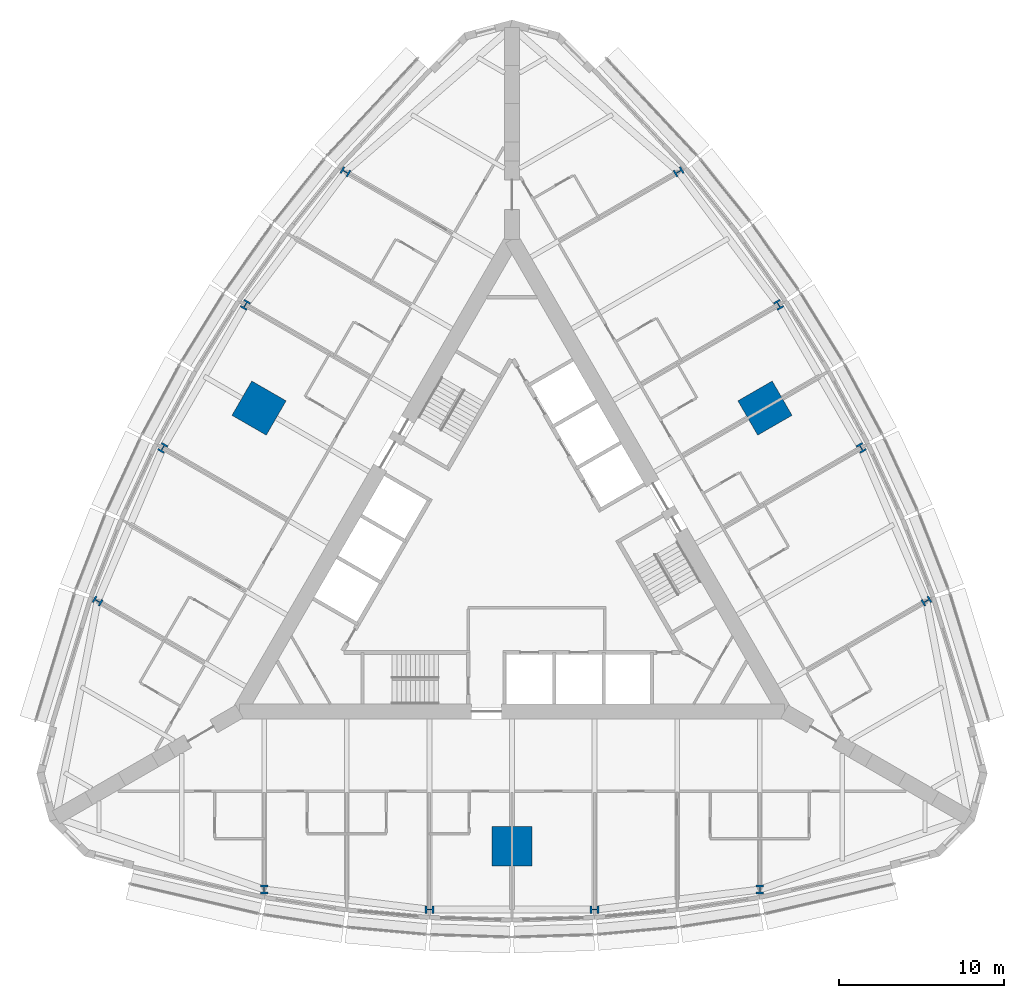
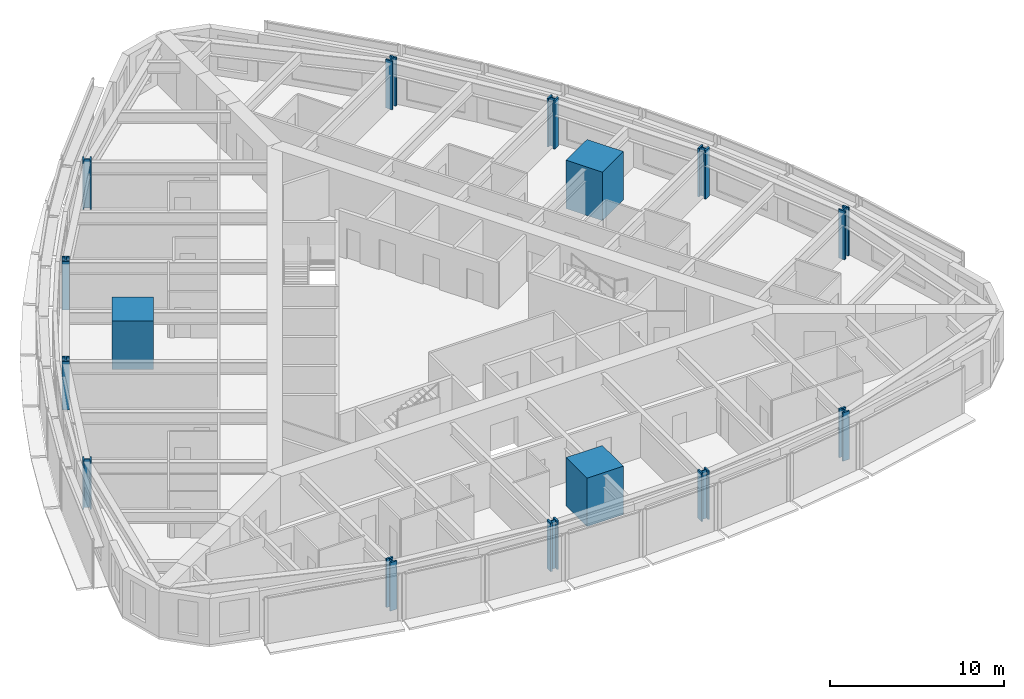
# One storey, part 1 of 14: 15 columns.
"""IFC4 building model written with IfcOpenShell, lengths in metres."""

import ifcopenshell
import ifcopenshell.guid

model = None  # the IFC model being written
_history = None  # IfcOwnerHistory: only IFC2X3 demands one
_inside = {}  # id of a spatial element -> (the spatial element, [elements in it])
_under = {}  # id of a project, library or spatial element -> (it, [spatial elements below it])
_declared = {}  # id of a project -> (the project, [libraries it declares])
_typed = {}  # id of a type object -> (the type object, [elements of that type])
_made_of = {}  # id of a material, layer set ... -> (it, [elements and type objects made of it])


def new_model(schema):
    """Start an empty IFC model of exactly this schema.

    Asked for "IFC4X3", IfcOpenShell would pick the latest addendum, in which some entities
    have other attributes; the version numbers below select the first issue.
    IFC2X3 requires an IfcOwnerHistory on every rooted entity: one is made here for all.
    """
    global model, _history
    if schema == "IFC4X3":
        model = ifcopenshell.file(schema_version=(4, 3, 0, 0))
    else:
        model = ifcopenshell.file(schema=schema)
    _inside.clear()
    _under.clear()
    _declared.clear()
    _typed.clear()
    _made_of.clear()
    _history = None
    if model.schema == "IFC2X3":
        org = make("IfcOrganization", Name="unknown")
        user = make(
            "IfcPersonAndOrganization",
            ThePerson=make("IfcPerson", FamilyName="unknown"),
            TheOrganization=org,
        )
        app = make(
            "IfcApplication",
            ApplicationDeveloper=org,
            Version="unknown",
            ApplicationFullName="unknown",
            ApplicationIdentifier="unknown",
        )
        _history = make(
            "IfcOwnerHistory",
            OwningUser=user,
            OwningApplication=app,
            ChangeAction="ADDED",
            CreationDate=0,
        )
    return model


def make(cls, **values):
    """One entity of the class cls with the attributes given. An attribute that is None is left unset."""
    return model.create_entity(
        cls, **{name: value for name, value in values.items() if value is not None}
    )


def rooted(cls, **values):
    """An entity with a GlobalId (a new one), such as an element, a storey or a relation."""
    return make(cls, GlobalId=ifcopenshell.guid.new(), OwnerHistory=_history, **values)


def si_unit(unit_type, name, prefix=None):
    """IfcSIUnit, for example si_unit("LENGTHUNIT", "METRE", prefix="MILLI")."""
    return make("IfcSIUnit", UnitType=unit_type, Prefix=prefix, Name=name)


def assignment(units):
    """IfcUnitAssignment: the units of a project."""
    return None if units is None else make("IfcUnitAssignment", Units=units)


def point(xyz):
    """IfcCartesianPoint."""
    return None if xyz is None else make("IfcCartesianPoint", Coordinates=xyz)


def direction(xyz):
    """IfcDirection."""
    return None if xyz is None else make("IfcDirection", DirectionRatios=xyz)


def frame(location, z_axis=None, x_axis=None):
    """IfcAxis2Placement3D, a coordinate frame: its origin and axes. An axis left out is left unset."""
    return make(
        "IfcAxis2Placement3D",
        Location=point(location),
        Axis=direction(z_axis),
        RefDirection=direction(x_axis),
    )


def frame_2d(location, x_axis=None):
    """IfcAxis2Placement2D, a coordinate frame in the plane: its origin and x axis."""
    return make(
        "IfcAxis2Placement2D", Location=point(location), RefDirection=direction(x_axis)
    )


def origin():
    """The frame at (0, 0, 0) with its axes left unset."""
    return frame((0.0, 0.0, 0.0))


def origin_2d():
    """The frame at (0, 0) in the plane with its x axis left unset."""
    return frame_2d((0.0, 0.0))


def place(relative_to, where):
    """IfcLocalPlacement: puts the frame where relative to a parent placement (None: the world)."""
    return make(
        "IfcLocalPlacement", PlacementRelTo=relative_to, RelativePlacement=where
    )


def context(
    kind, dimensions, precision=None, world=None, true_north=None, identifier=None
):
    """IfcGeometricRepresentationContext, for example the 3D "Model" context."""
    return make(
        "IfcGeometricRepresentationContext",
        ContextIdentifier=identifier,
        ContextType=kind,
        CoordinateSpaceDimension=dimensions,
        Precision=precision,
        WorldCoordinateSystem=world,
        TrueNorth=true_north,
    )


def subcontext(parent, identifier, kind, view, scale=None):
    """IfcGeometricRepresentationSubContext, for example "Body" below "Model"."""
    return make(
        "IfcGeometricRepresentationSubContext",
        ContextIdentifier=identifier,
        ContextType=kind,
        ParentContext=parent,
        TargetScale=scale,
        TargetView=view,
    )


def project(units=None, contexts=None):
    """IfcProject with its units and contexts."""
    return rooted(
        "IfcProject",
        Name="project",
        RepresentationContexts=contexts,
        UnitsInContext=assignment(units),
    )


def spatial(cls, under=None, at=None, **own):
    """A site, building, storey or space (cls), placed at a placement, below another one or the project."""
    s = rooted(cls, ObjectPlacement=at, **own)
    if under is not None:
        _under.setdefault(under.id(), (under, []))[1].append(s)
    return s


def profile(cls, at=None, kind="AREA", **sizes):
    """A parametric profile (cls). Its sizes go by their IFC names, for example OverallWidth=200.0."""
    return make(cls, ProfileType=kind, Position=at, **sizes)


def rectangle(**sizes):
    """IfcRectangleProfileDef."""
    return profile("IfcRectangleProfileDef", **sizes)


def i_section(**sizes):
    """IfcIShapeProfileDef."""
    return profile("IfcIShapeProfileDef", **sizes)


def extrude(swept, where, along, depth):
    """IfcExtrudedAreaSolid: the profile swept, set in the frame where, extruded along a direction by depth."""
    return make(
        "IfcExtrudedAreaSolid",
        SweptArea=swept,
        Position=where,
        ExtrudedDirection=direction(along),
        Depth=depth,
    )


def shape(context_of_items, identifier, shape_type, items):
    """IfcShapeRepresentation: the items that make up one representation, for example the "Body"."""
    return make(
        "IfcShapeRepresentation",
        ContextOfItems=context_of_items,
        RepresentationIdentifier=identifier,
        RepresentationType=shape_type,
        Items=items,
    )


def material(Name=None, Category=None):
    """IfcMaterial."""
    return make("IfcMaterial", Name=Name, Category=Category)


def material_profile(
    of_material, cross_section, Name=None, Category=None, Priority=None
):
    """IfcMaterialProfile: a cross section and its material."""
    return make(
        "IfcMaterialProfile",
        Name=Name,
        Material=of_material,
        Profile=cross_section,
        Priority=Priority,
        Category=Category,
    )


def profile_set(profiles, Name=None, composite=None):
    """IfcMaterialProfileSet."""
    return make(
        "IfcMaterialProfileSet",
        Name=Name,
        MaterialProfiles=profiles,
        CompositeProfile=composite,
    )


def made_of(thing, what):
    """Note that an element or type object is made of a material, layer set ...; save() writes the relation."""
    if what is not None:
        _made_of.setdefault(what.id(), (what, []))[1].append(thing)
    return thing


def type_object(cls, material=None, **own):
    """A type object (cls), such as IfcWallType, which elements share."""
    return made_of(rooted(cls, **own), material)


def element(
    cls,
    number,
    at=None,
    inside=None,
    cuts=None,
    type_object=None,
    material=None,
    context=None,
    identifier="Body",
    shape_type=None,
    held_by="IfcProductDefinitionShape",
    body=None,
    shapes=None,
    **own,
):
    """One element of the class cls, such as IfcWall. Its Tag is "e" and its number.

    at: its placement. inside: the storey or other place that contains it. cuts: it is an
    opening in that element (IfcRelVoidsElement). A single representation is given by context,
    identifier, shape_type and body (its items); several are given by shapes. held_by: the class
    of the entity that holds the representations. save() writes the other relations.
    """
    e = rooted(cls, Tag="e%d" % number, ObjectPlacement=at, **own)
    if body is not None:
        shapes = [shape(context, identifier, shape_type, body)]
    if shapes is not None:
        e.Representation = make(held_by, Representations=shapes)
    if inside is not None:
        _inside.setdefault(inside.id(), (inside, []))[1].append(e)
    if cuts is not None:
        rooted(
            "IfcRelVoidsElement", RelatingBuildingElement=cuts, RelatedOpeningElement=e
        )
    if type_object is not None:
        _typed.setdefault(type_object.id(), (type_object, []))[1].append(e)
    return made_of(e, material)


def aggregate(whole, parts):
    """IfcRelAggregates: a whole, such as a stair, and the parts it consists of."""
    return rooted("IfcRelAggregates", RelatingObject=whole, RelatedObjects=parts)


def save(model, path):
    """Write the relations noted so far, then the file.

    IfcRelAggregates (storeys below a building ...), IfcRelContainedInSpatialStructure (elements
    in a storey), IfcRelDefinesByType, IfcRelAssociatesMaterial and IfcRelDeclares: one each for
    every whole, place, type object, material and project.
    """
    for whole, parts in _under.values():
        aggregate(whole, parts)
    for where, things in _inside.values():
        rooted(
            "IfcRelContainedInSpatialStructure",
            RelatedElements=things,
            RelatingStructure=where,
        )
    for kind, things in _typed.values():
        rooted("IfcRelDefinesByType", RelatedObjects=things, RelatingType=kind)
    for what, things in _made_of.values():
        rooted("IfcRelAssociatesMaterial", RelatedObjects=things, RelatingMaterial=what)
    for by, libraries in _declared.values():
        rooted("IfcRelDeclares", RelatingContext=by, RelatedDefinitions=libraries)
    model.write(path)


model = new_model("IFC4")

# Units and contexts
model_context = context("Model", 3, precision=1e-05, world=origin(), true_north=direction((0.0, 1.0)))
body_context = subcontext(model_context, "Body", "Model", "MODEL_VIEW")
ifc_project = project(units=[si_unit("LENGTHUNIT", "METRE"), si_unit("AREAUNIT", "SQUARE_METRE"), si_unit("VOLUMEUNIT", "CUBIC_METRE"), si_unit("PLANEANGLEUNIT", "RADIAN"), si_unit("MASSUNIT", "GRAM", prefix="KILO")], contexts=[model_context])

# Site, building, storey
site_placement = place(None, origin())
site = spatial("IfcSite", under=ifc_project, at=site_placement, CompositionType="ELEMENT")
building_placement = place(site_placement, origin())
building = spatial("IfcBuilding", under=site, at=building_placement, Name="Trikona Tower", CompositionType="ELEMENT")
storey_placement = place(building_placement, frame((0.0, 0.0, 65.89990234375)))
storey = spatial("IfcBuildingStorey", under=building, at=storey_placement, Name="L16", CompositionType="ELEMENT", Elevation=65.89990234375)

# Columns
ifc_material_1 = material(Name="Concrete f'c 10000 psi with encased steel section", Category="concrete")
ifc_material_profile_1 = material_profile(ifc_material_1, rectangle(XDim=2.39990234375, YDim=2.39990234375, at=origin_2d()), Name="MC2400")
ifc_profile_set_1 = profile_set([ifc_material_profile_1], Name="Concrete f'c 10000 psi with encased steel section")
column_type_1 = type_object("IfcColumnType", Name="Composite mega column 2400x2400", PredefinedType="COLUMN", material=ifc_profile_set_1)
for number, where, z_axis, x_axis, name in (
    (1, (0.0, -17.680419921875, 0.0), (0.0, 0.0, 1.0), (0.0, -1.0, 0.0), "Mega column MC1"),
    (2, (15.311767578125, 8.84033203125, 0.0), (0.0, 0.0, 1.0), (0.866025403784, 0.5, 0.0), "Mega column MC2"),
    (3, (-15.311767578125, 8.84033203125, 0.0), (0.0, 0.0, 1.0), (-0.866025403784, 0.5, 0.0), "Mega column MC3"),
):
    element("IfcColumn", number, at=place(storey_placement, frame(where, z_axis=z_axis, x_axis=x_axis)), inside=storey, type_object=column_type_1, Name=name, PredefinedType="COLUMN", context=body_context, shape_type="SweptSolid", body=[
        extrude(rectangle(XDim=2.39990234375, YDim=2.39990234375, at=origin_2d()), origin(), (0.0, 0.0, 1.0), 3.400146484375),
    ])
ifc_material_2 = material(Name="Steel ASTM A992 Grade 50", Category="steel")
ifc_material_profile_2 = material_profile(ifc_material_2, i_section(OverallWidth=0.44189453125, OverallDepth=0.53076171875, WebThickness=0.06591796875, FlangeThickness=0.105712890625, at=origin_2d()), Name="W14X605")
ifc_profile_set_2 = profile_set([ifc_material_profile_2], Name="Steel ASTM A992 Grade 50")
column_type_2 = type_object("IfcColumnType", Name="Steel column W14x605", PredefinedType="COLUMN", material=ifc_profile_set_2)
for number, where, z_axis, x_axis, name in (
    (4, (-15.0, -20.302978515625, 0.0), (0.0, 0.0, 1.0), (1.0, 0.0, 0.0), "Column F0m15"),
    (5, (-5.0, -21.5205078125, 0.0), (0.0, 0.0, 1.0), (0.0, -1.0, 0.0), "Column F0m5"),
    (6, (5.0, -21.5205078125, 0.0), (0.0, 0.0, 1.0), (0.0, -1.0, 0.0), "Column F0p5"),
    (7, (15.0, -20.302978515625, 0.0), (0.0, 0.0, 1.0), (1.0, 0.0, 0.0), "Column F0p15"),
    (8, (25.0830078125, -2.8388671875, 0.0), (0.0, 0.0, 1.0), (-0.5, 0.866025403784, 0.0), "Column F1m15"),
    (9, (21.13720703125, 6.43017578125, 0.0), (0.0, 0.0, 1.0), (0.866025403784, 0.5, 0.0), "Column F1m5"),
    (10, (16.13720703125, 15.09033203125, 0.0), (0.0, 0.0, 1.0), (0.866025403784, 0.5, 0.0), "Column F1p5"),
    (11, (10.0830078125, 23.141845703125, 0.0), (0.0, 0.0, 1.0), (-0.5, 0.866025403784, 0.0), "Column F1p15"),
    (12, (-10.0830078125, 23.141845703125, 0.0), (0.0, 0.0, 1.0), (-0.5, -0.866025403784, 0.0), "Column F2m15"),
    (13, (-16.13720703125, 15.09033203125, 0.0), (0.0, 0.0, 1.0), (-0.866025403784, 0.5, 0.0), "Column F2m5"),
    (14, (-21.13720703125, 6.43017578125, 0.0), (0.0, 0.0, 1.0), (-0.866025403784, 0.5, 0.0), "Column F2p5"),
    (15, (-25.0830078125, -2.8388671875, 0.0), (0.0, 0.0, 1.0), (-0.5, -0.866025403784, 0.0), "Column F2p15"),
):
    element("IfcColumn", number, at=place(storey_placement, frame(where, z_axis=z_axis, x_axis=x_axis)), inside=storey, type_object=column_type_2, Name=name, PredefinedType="COLUMN", context=body_context, shape_type="SweptSolid", body=[
        extrude(i_section(OverallWidth=0.44189453125, OverallDepth=0.53076171875, WebThickness=0.06591796875, FlangeThickness=0.105712890625, at=origin_2d()), origin(), (0.0, 0.0, 1.0), 3.400146484375),
    ])

save(model, "model.ifc")
